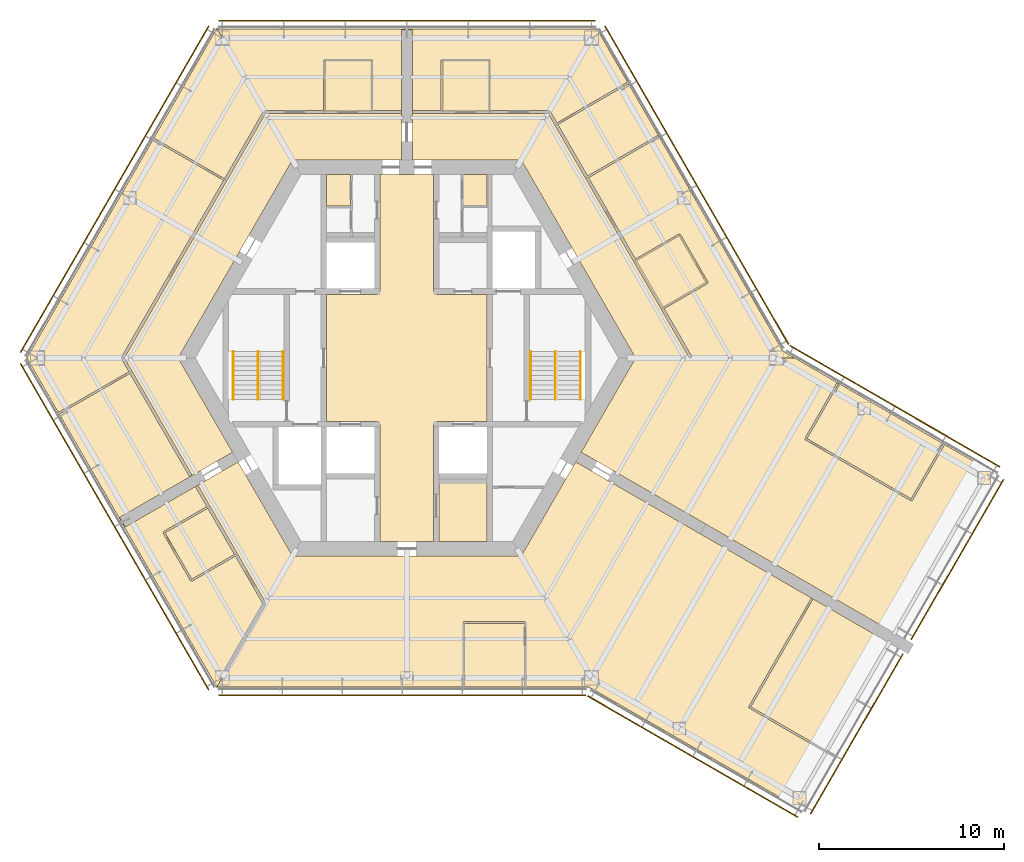
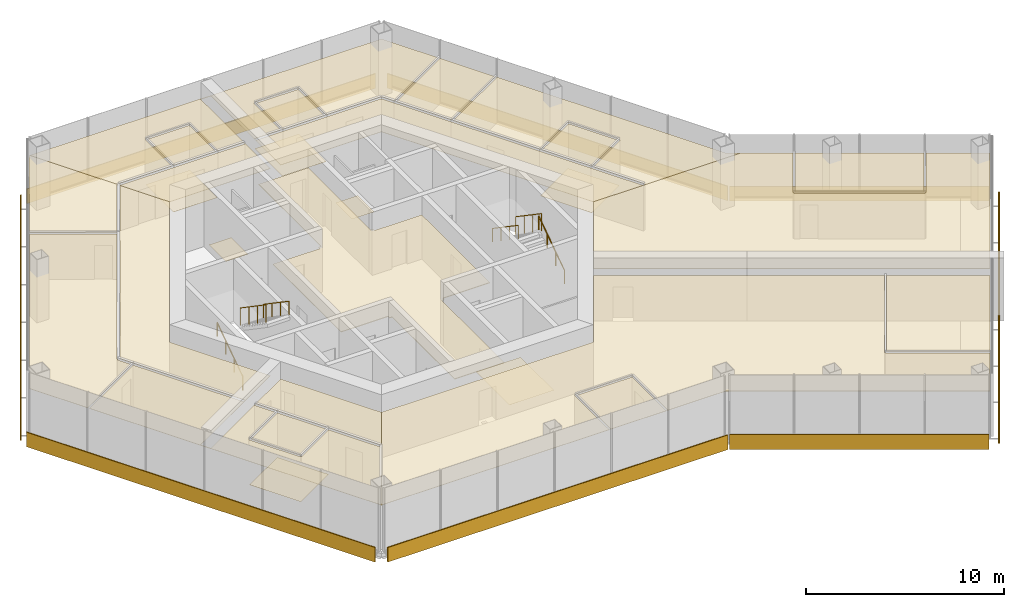
# One storey, part 15 of 15: 29 coverings, 9 shading devices, 6 railings.
"""IFC4 building model written with IfcOpenShell, lengths in metres."""

from ifc_helpers import new_model, si_unit, direction, frame, origin, origin_2d, place, context, subcontext, project, spatial, polyline, rectangle, circle, outline, extrude, material, layer, layer_set, type_object, element, save


model = new_model("IFC4")

# Units and contexts
model_context = context("Model", 3, precision=1e-05, world=origin(), true_north=direction((0.0, 1.0)))
body_context = subcontext(model_context, "Body", "Model", "MODEL_VIEW")
ifc_project = project(units=[si_unit("LENGTHUNIT", "METRE"), si_unit("AREAUNIT", "SQUARE_METRE"), si_unit("VOLUMEUNIT", "CUBIC_METRE"), si_unit("PLANEANGLEUNIT", "RADIAN"), si_unit("MASSUNIT", "GRAM", prefix="KILO")], contexts=[model_context])

# Site, building, storey
site_placement = place(None, origin())
site = spatial("IfcSite", under=ifc_project, at=site_placement, CompositionType="ELEMENT")
building_placement = place(site_placement, origin())
building = spatial("IfcBuilding", under=site, at=building_placement, Name="Kasaneha Research Tower", CompositionType="ELEMENT")
storey_placement = place(building_placement, frame((0.0, 0.0, 244.0)))
storey = spatial("IfcBuildingStorey", under=building, at=storey_placement, Name="L61", CompositionType="ELEMENT", Elevation=244.0)

# Covering
ifc_material_1 = material(Name="Aluminium panel ceiling", Category="aluminium")
ifc_layer_1 = layer(ifc_material_1, 0.0400390625)
ifc_layer_set_1 = layer_set([ifc_layer_1], Name="Lift lobby ceiling 40")
covering_type_1 = type_object("IfcCoveringType", Name="Lift lobby ceiling 40", PredefinedType="CEILING", material=ifc_layer_set_1)
covering_1_placement = place(storey_placement, frame((0.0, 0.0, 2.699951171875)))
element("IfcCovering", 1, at=covering_1_placement, inside=storey, type_object=covering_type_1, Name="Ceiling L61-01", PredefinedType="CEILING", context=body_context, shape_type="SweptSolid", body=[
    extrude(outline(polyline([(1.449951171875, 9.925048828125), (1.449951171875, 3.60009765625), (1.60009765625, 3.60009765625), (1.60009765625, 3.449951171875), (4.35009765625, 3.449951171875), (4.35009765625, -3.449951171875), (1.60009765625, -3.449951171875), (1.60009765625, -3.60009765625), (1.449951171875, -3.60009765625), (1.449951171875, -9.925048828125), (-1.449951171875, -9.925048828125), (-1.449951171875, -3.60009765625), (-1.60009765625, -3.60009765625), (-1.60009765625, -3.449951171875), (-4.35009765625, -3.449951171875), (-4.35009765625, 3.449951171875), (-1.60009765625, 3.449951171875), (-1.60009765625, 3.60009765625), (-1.449951171875, 3.60009765625), (-1.449951171875, 9.925048828125), (1.449951171875, 9.925048828125)])), origin(), (0.0, 0.0, 1.0), 0.0400390625),
])

# Railings
ifc_material_2 = material(Name="Steel", Category="steel")
railing_type_1 = type_object("IfcRailingType", Name="Stair balustrade 1100", PredefinedType="GUARDRAIL", material=ifc_material_2)
for number, where, name in (
    (2, (8.050048828125, 0.35009765625, 2.127197265625), "Stair 1 balustrade L61"),
    (3, (-8.050048828125, 0.35009765625, 2.127197265625), "Stair 2 balustrade L61"),
):
    element("IfcRailing", number, at=place(storey_placement, frame(where)), inside=storey, type_object=railing_type_1, Name=name, PredefinedType="GUARDRAIL", context=body_context, shape_type="SweptSolid", body=[
        extrude(circle(Radius=0.02392578125, at=origin_2d()), frame((0.0, 0.0, 1.076171875), z_axis=(0.0, -0.826240473404, 0.563317565952), x_axis=(1.0, 0.0, 0.0)), (0.0, 0.0, 1.0), 3.14697265625),
        extrude(circle(Radius=0.02099609375, at=origin_2d()), origin(), (0.0, 0.0, 1.0), 1.052001953125),
        extrude(circle(Radius=0.02099609375, at=origin_2d()), frame((0.0, -0.86669921875, 0.5908203125)), (0.0, 0.0, 1.0), 1.052001953125),
        extrude(circle(Radius=0.02099609375, at=origin_2d()), frame((0.0, -1.7333984375, 1.181884765625)), (0.0, 0.0, 1.0), 1.052001953125),
        extrude(circle(Radius=0.02099609375, at=origin_2d()), frame((0.0, -2.60009765625, 1.772705078125)), (0.0, 0.0, 1.0), 1.052001953125),
    ])
ifc_material_3 = material(Name="Steel", Category="steel")
railing_type_2 = type_object("IfcRailingType", Name="Stair handrail 850", PredefinedType="HANDRAIL", material=ifc_material_3)
railing_1_placement = place(storey_placement, frame((9.39990234375, -2.25, 0.17724609375)))
element("IfcRailing", 4, at=railing_1_placement, inside=storey, type_object=railing_type_2, Name="Stair 1 handrail L61", PredefinedType="HANDRAIL", context=body_context, shape_type="SweptSolid", body=[
    extrude(circle(Radius=0.02392578125, at=origin_2d()), frame((0.0, 0.0, 0.826171875), z_axis=(0.0, 0.826240473404, 0.563317565952), x_axis=(-1.0, 0.0, 0.0)), (0.0, 0.0, 1.0), 3.14697265625),
    extrude(circle(Radius=0.02099609375, at=origin_2d()), origin(), (0.0, 0.0, 1.0), 0.802001953125),
    extrude(circle(Radius=0.02099609375, at=origin_2d()), frame((0.0, 0.86669921875, 0.5908203125)), (0.0, 0.0, 1.0), 0.802001953125),
    extrude(circle(Radius=0.02099609375, at=origin_2d()), frame((0.0, 1.7333984375, 1.181884765625)), (0.0, 0.0, 1.0), 0.802001953125),
    extrude(circle(Radius=0.02099609375, at=origin_2d()), frame((0.0, 2.60009765625, 1.772705078125)), (0.0, 0.0, 1.0), 0.802001953125),
])
railing_2_placement = place(storey_placement, frame((6.699951171875, 0.35009765625, 2.127197265625)))
element("IfcRailing", 5, at=railing_2_placement, inside=storey, type_object=railing_type_2, Name="Stair 1 handrail L61", PredefinedType="HANDRAIL", context=body_context, shape_type="SweptSolid", body=[
    extrude(circle(Radius=0.02392578125, at=origin_2d()), frame((0.0, 0.0, 0.826171875), z_axis=(0.0, -0.826240473404, 0.563317565952), x_axis=(1.0, 0.0, 0.0)), (0.0, 0.0, 1.0), 3.14697265625),
    extrude(circle(Radius=0.02099609375, at=origin_2d()), origin(), (0.0, 0.0, 1.0), 0.802001953125),
    extrude(circle(Radius=0.02099609375, at=origin_2d()), frame((0.0, -0.86669921875, 0.5908203125)), (0.0, 0.0, 1.0), 0.802001953125),
    extrude(circle(Radius=0.02099609375, at=origin_2d()), frame((0.0, -1.7333984375, 1.181884765625)), (0.0, 0.0, 1.0), 0.802001953125),
    extrude(circle(Radius=0.02099609375, at=origin_2d()), frame((0.0, -2.60009765625, 1.772705078125)), (0.0, 0.0, 1.0), 0.802001953125),
])
railing_3_placement = place(storey_placement, frame((-9.39990234375, -2.25, 0.17724609375)))
element("IfcRailing", 6, at=railing_3_placement, inside=storey, type_object=railing_type_2, Name="Stair 2 handrail L61", PredefinedType="HANDRAIL", context=body_context, shape_type="SweptSolid", body=[
    extrude(circle(Radius=0.02392578125, at=origin_2d()), frame((0.0, 0.0, 0.826171875), z_axis=(0.0, 0.826240473404, 0.563317565952), x_axis=(-1.0, 0.0, 0.0)), (0.0, 0.0, 1.0), 3.14697265625),
    extrude(circle(Radius=0.02099609375, at=origin_2d()), origin(), (0.0, 0.0, 1.0), 0.802001953125),
    extrude(circle(Radius=0.02099609375, at=origin_2d()), frame((0.0, 0.86669921875, 0.5908203125)), (0.0, 0.0, 1.0), 0.802001953125),
    extrude(circle(Radius=0.02099609375, at=origin_2d()), frame((0.0, 1.7333984375, 1.181884765625)), (0.0, 0.0, 1.0), 0.802001953125),
    extrude(circle(Radius=0.02099609375, at=origin_2d()), frame((0.0, 2.60009765625, 1.772705078125)), (0.0, 0.0, 1.0), 0.802001953125),
])
railing_4_placement = place(storey_placement, frame((-6.699951171875, 0.35009765625, 2.127197265625)))
element("IfcRailing", 7, at=railing_4_placement, inside=storey, type_object=railing_type_2, Name="Stair 2 handrail L61", PredefinedType="HANDRAIL", context=body_context, shape_type="SweptSolid", body=[
    extrude(circle(Radius=0.02392578125, at=origin_2d()), frame((0.0, 0.0, 0.826171875), z_axis=(0.0, -0.826240473404, 0.563317565952), x_axis=(1.0, 0.0, 0.0)), (0.0, 0.0, 1.0), 3.14697265625),
    extrude(circle(Radius=0.02099609375, at=origin_2d()), origin(), (0.0, 0.0, 1.0), 0.802001953125),
    extrude(circle(Radius=0.02099609375, at=origin_2d()), frame((0.0, -0.86669921875, 0.5908203125)), (0.0, 0.0, 1.0), 0.802001953125),
    extrude(circle(Radius=0.02099609375, at=origin_2d()), frame((0.0, -1.7333984375, 1.181884765625)), (0.0, 0.0, 1.0), 0.802001953125),
    extrude(circle(Radius=0.02099609375, at=origin_2d()), frame((0.0, -2.60009765625, 1.772705078125)), (0.0, 0.0, 1.0), 0.802001953125),
])

# Coverings
ifc_material_4 = material(Name="Gypsum ceiling board", Category="gypsum")
ifc_layer_2 = layer(ifc_material_4, 0.02001953125)
ifc_layer_set_2 = layer_set([ifc_layer_2], Name="Suspended ceiling 20")
covering_type_2 = type_object("IfcCoveringType", Name="Suspended ceiling 20", PredefinedType="CEILING", material=ifc_layer_set_2)
covering_2_placement = place(storey_placement, frame((0.0, 0.0, 2.800048828125)))
element("IfcCovering", 8, at=covering_2_placement, inside=storey, type_object=covering_type_2, Name="Ceiling L61-27", PredefinedType="CEILING", context=body_context, shape_type="SweptSolid", body=[
    extrude(outline(polyline([(6.192138671875, 10.72509765625), (0.300048828125, 10.72509765625), (0.300048828125, 11.72509765625), (0.300048828125, 12.72509765625), (0.300048828125, 13.324951171875), (0.320068359375, 13.324951171875), (0.320068359375, 13.25), (1.89501953125, 13.25), (1.904541015625, 13.25), (4.46044921875, 13.25), (4.469970703125, 13.25), (7.64990234375, 13.25), (8.019287109375, 12.610107421875), (8.019287109375, 12.610107421875), (9.68505859375, 9.72509765625), (9.68505859375, 9.72509765625), (12.277099609375, 5.235595703125), (12.277099609375, 5.235595703125), (13.77734375, 2.636962890625), (13.77734375, 2.636962890625), (15.2998046875, 0.0), (12.38427734375, 0.0), (6.192138671875, 10.72509765625)])), origin(), (0.0, 0.0, 1.0), 0.02001953125),
])
covering_3_placement = place(storey_placement, frame((0.0, 0.0, 2.800048828125)))
element("IfcCovering", 9, at=covering_3_placement, inside=storey, type_object=covering_type_2, Name="Ceiling L61-28", PredefinedType="CEILING", context=body_context, shape_type="SweptSolid", body=[
    extrude(outline(polyline([(4.4150390625, 16.074951171875), (4.41064453125, 13.39990234375), (1.954345703125, 13.39990234375), (1.9501953125, 16.074951171875), (4.4150390625, 16.074951171875)])), origin(), (0.0, 0.0, 1.0), 0.02001953125),
])
covering_4_placement = place(storey_placement, frame((0.0, 0.0, 2.800048828125)))
element("IfcCovering", 10, at=covering_4_placement, inside=storey, type_object=covering_type_2, Name="Ceiling L61-29", PredefinedType="CEILING", context=body_context, shape_type="SweptSolid", body=[
    extrude(outline(polyline([(16.1962890625, 4.09716796875), (13.877685546875, 2.763427734375), (12.431884765625, 5.267333984375), (14.746337890625, 6.608642578125), (16.1962890625, 4.09716796875)])), origin(), (0.0, 0.0, 1.0), 0.02001953125),
])
covering_5_placement = place(storey_placement, frame((0.0, 0.0, 2.800048828125)))
element("IfcCovering", 11, at=covering_5_placement, inside=storey, type_object=covering_type_2, Name="Ceiling L61-30", PredefinedType="CEILING", context=body_context, shape_type="SweptSolid", body=[
    extrude(outline(polyline([(13.623291015625, 12.004638671875), (13.598388671875, 12.0478515625), (9.78515625, 9.851318359375), (8.17431640625, 12.641845703125), (12.000244140625, 14.85595703125), (13.640869140625, 12.0146484375), (13.623291015625, 12.004638671875)])), origin(), (0.0, 0.0, 1.0), 0.02001953125),
])
covering_6_placement = place(storey_placement, frame((0.0, 0.0, 2.800048828125)))
element("IfcCovering", 12, at=covering_6_placement, inside=storey, type_object=covering_type_2, Name="Ceiling L61-31", PredefinedType="CEILING", context=body_context, shape_type="SweptSolid", body=[
    extrude(outline(polyline([(15.375244140625, 0.020263671875), (15.439697265625, 0.0576171875), (13.927490234375, 2.6767578125), (16.28955078125, 4.035400390625), (16.2646484375, 4.078857421875), (16.30810546875, 4.103759765625), (14.80810546875, 6.701904296875), (14.764892578125, 6.677001953125), (14.764892578125, 6.67724609375), (14.7646484375, 6.67724609375), (14.73974609375, 6.72021484375), (12.3818359375, 5.35400390625), (9.835205078125, 9.764892578125), (13.6484375, 11.961181640625), (13.62353515625, 12.004150390625), (13.64111328125, 12.01416015625), (20.365966796875, 0.365966796875), (21.0, 0.0), (15.386962890625, 0.0), (15.375244140625, 0.020263671875)])), origin(), (0.0, 0.0, 1.0), 0.02001953125),
])
covering_7_placement = place(storey_placement, frame((0.0, 0.0, 2.800048828125)))
element("IfcCovering", 13, at=covering_7_placement, inside=storey, type_object=covering_type_2, Name="Ceiling L61-32", PredefinedType="CEILING", context=body_context, shape_type="SweptSolid", body=[
    extrude(outline(polyline([(10.28857421875, 17.820556640625), (11.9501953125, 14.9423828125), (8.124267578125, 12.728515625), (7.758056640625, 13.362548828125), (7.693359375, 13.3251953125), (7.693359375, 13.325439453125), (7.693115234375, 13.325439453125), (7.693115234375, 13.39990234375), (4.510498046875, 13.39990234375), (4.514892578125, 16.125), (4.46533203125, 16.125), (4.46533203125, 16.12548828125), (4.465087890625, 16.12548828125), (4.465087890625, 16.175048828125), (1.89990234375, 16.175048828125), (1.89990234375, 16.12548828125), (1.89990234375, 16.12548828125), (1.89990234375, 16.125), (1.85009765625, 16.125), (1.8544921875, 13.39990234375), (0.320068359375, 13.39990234375), (0.320068359375, 13.325439453125), (0.300048828125, 13.325439453125), (0.300048828125, 17.7705078125), (0.300048828125, 17.7705078125), (0.0, 17.7705078125), (0.0, 17.820556640625), (10.28857421875, 17.820556640625)])), origin(), (0.0, 0.0, 1.0), 0.02001953125),
])
covering_8_placement = place(storey_placement, frame((0.0, 0.0, 2.800048828125)))
element("IfcCovering", 14, at=covering_8_placement, inside=storey, type_object=covering_type_2, Name="Ceiling L61-33", PredefinedType="CEILING", context=body_context, shape_type="SweptSolid", body=[
    extrude(outline(polyline([(-0.300048828125, 11.72509765625), (-0.300048828125, 10.72509765625), (-6.192138671875, 10.72509765625), (-7.64990234375, 13.25), (-7.64990234375, 13.25), (-4.469970703125, 13.25), (-4.46044921875, 13.25), (-1.904541015625, 13.25), (-1.89501953125, 13.25), (-0.320068359375, 13.25), (-0.320068359375, 13.324951171875), (-0.300048828125, 13.324951171875), (-0.300048828125, 12.72509765625), (-0.300048828125, 11.72509765625)])), origin(), (0.0, 0.0, 1.0), 0.02001953125),
])
covering_9_placement = place(storey_placement, frame((0.0, 0.0, 2.800048828125)))
element("IfcCovering", 15, at=covering_9_placement, inside=storey, type_object=covering_type_2, Name="Ceiling L61-34", PredefinedType="CEILING", context=body_context, shape_type="SweptSolid", body=[
    extrude(outline(polyline([(-1.9501953125, 16.074951171875), (-1.954345703125, 13.39990234375), (-4.41064453125, 13.39990234375), (-4.4150390625, 16.074951171875), (-1.9501953125, 16.074951171875)])), origin(), (0.0, 0.0, 1.0), 0.02001953125),
])
covering_10_placement = place(storey_placement, frame((0.0, 0.0, 2.800048828125)))
element("IfcCovering", 16, at=covering_10_placement, inside=storey, type_object=covering_type_2, Name="Ceiling L61-35", PredefinedType="CEILING", context=body_context, shape_type="SweptSolid", body=[
    extrude(outline(polyline([(-0.320068359375, 13.325439453125), (-0.320068359375, 13.39990234375), (-1.8544921875, 13.39990234375), (-1.85009765625, 16.125), (-1.899658203125, 16.125), (-1.899658203125, 16.12548828125), (-1.89990234375, 16.12548828125), (-1.89990234375, 16.175048828125), (-4.465087890625, 16.175048828125), (-4.465087890625, 16.12548828125), (-4.465087890625, 16.125), (-4.514892578125, 16.125), (-4.510498046875, 13.39990234375), (-7.670166015625, 13.39990234375), (-7.670166015625, 13.325439453125), (-7.693359375, 13.325439453125), (-10.28857421875, 17.820556640625), (0.0, 17.820556640625), (0.0, 17.7705078125), (-0.300048828125, 17.7705078125), (-0.300048828125, 17.7705078125), (-0.300048828125, 13.325439453125), (-0.320068359375, 13.325439453125)])), origin(), (0.0, 0.0, 1.0), 0.02001953125),
])
covering_11_placement = place(storey_placement, frame((0.0, 0.0, 2.800048828125)))
element("IfcCovering", 17, at=covering_11_placement, inside=storey, type_object=covering_type_2, Name="Ceiling L61-36", PredefinedType="CEILING", context=body_context, shape_type="SweptSolid", body=[
    extrude(outline(polyline([(-12.38427734375, 0.0), (-9.438232421875, -5.102783203125), (-10.30419921875, -5.602783203125), (-10.30419921875, -5.602783203125), (-11.170166015625, -6.102783203125), (-11.170166015625, -6.102783203125), (-11.689697265625, -6.402587890625), (-11.69970703125, -6.385498046875), (-11.634765625, -6.347900390625), (-14.88818359375, -0.713134765625), (-14.887939453125, -0.713134765625), (-15.2998046875, 0.0), (-9.764892578125, 9.5869140625), (-9.764892578125, 9.5869140625), (-7.64990234375, 13.25), (-6.192138671875, 10.72509765625), (-12.38427734375, 0.0)])), origin(), (0.0, 0.0, 1.0), 0.02001953125),
])
covering_12_placement = place(storey_placement, frame((0.0, 0.0, 2.800048828125)))
element("IfcCovering", 18, at=covering_12_placement, inside=storey, type_object=covering_type_2, Name="Ceiling L61-37", PredefinedType="CEILING", context=body_context, shape_type="SweptSolid", body=[
    extrude(outline(polyline([(-15.539794921875, -8.62548828125), (-15.539794921875, -8.62548828125), (-15.3896484375, -8.88525390625), (-15.43310546875, -8.91015625), (-18.823486328125, -3.037841796875), (-14.992919921875, -0.831298828125), (-11.7646484375, -6.4228515625), (-11.69970703125, -6.385498046875), (-11.689697265625, -6.402587890625), (-11.429931640625, -6.252685546875), (-15.539794921875, -8.62548828125), (-15.539794921875, -8.62548828125)])), origin(), (0.0, 0.0, 1.0), 0.02001953125),
])
covering_13_placement = place(storey_placement, frame((0.0, 0.0, 2.800048828125)))
element("IfcCovering", 19, at=covering_13_placement, inside=storey, type_object=covering_type_2, Name="Ceiling L61-38", PredefinedType="CEILING", context=body_context, shape_type="SweptSolid", body=[
    extrude(outline(polyline([(-12.027587890625, 14.83251953125), (-10.299072265625, 17.826416015625), (-10.291748046875, 17.83203125), (-10.282470703125, 17.830810546875), (-7.681396484375, 13.32568359375), (-7.686279296875, 13.31396484375), (-7.693603515625, 13.3251953125), (-7.705078125, 13.30517578125), (-7.76953125, 13.342529296875), (-9.869873046875, 9.705078125), (-13.7001953125, 11.911376953125), (-12.023193359375, 14.816162109375), (-12.02880859375, 14.822998046875), (-12.027587890625, 14.83251953125)])), origin(), (0.0, 0.0, 1.0), 0.02001953125),
])
covering_14_placement = place(storey_placement, frame((0.0, 0.0, 2.800048828125)))
element("IfcCovering", 20, at=covering_14_placement, inside=storey, type_object=covering_type_2, Name="Ceiling L61-39", PredefinedType="CEILING", context=body_context, shape_type="SweptSolid", body=[
    extrude(outline(polyline([(-15.38671875, 0.000244140625), (-15.38671875, -0.000244140625), (-15.451416015625, -0.03759765625), (-15.04296875, -0.74462890625), (-18.87353515625, -2.951171875), (-20.577392578125, 0.0), (-13.750244140625, 11.82470703125), (-9.919677734375, 9.618408203125), (-15.451416015625, 0.03759765625), (-15.38671875, 0.000244140625), (-15.38671875, 0.000244140625)])), origin(), (0.0, 0.0, 1.0), 0.02001953125),
])
covering_15_placement = place(storey_placement, frame((0.0, 0.0, 2.800048828125)))
element("IfcCovering", 21, at=covering_15_placement, inside=storey, type_object=covering_type_2, Name="Ceiling L61-40", PredefinedType="CEILING", context=body_context, shape_type="SweptSolid", body=[
    extrude(outline(polyline([(-10.8701171875, -6.622314453125), (-10.004150390625, -6.122314453125), (-10.004150390625, -6.122314453125), (-9.13818359375, -5.622314453125), (-6.192138671875, -10.72509765625), (-7.64990234375, -13.25), (-9.177001953125, -10.604736328125), (-9.177001953125, -10.604736328125), (-10.67724609375, -8.00634765625), (-10.677490234375, -8.00634765625), (-11.31494140625, -6.902099609375), (-11.3798828125, -6.939697265625), (-11.389892578125, -6.92236328125), (-10.8701171875, -6.622314453125), (-10.8701171875, -6.622314453125)])), origin(), (0.0, 0.0, 1.0), 0.02001953125),
])
covering_16_placement = place(storey_placement, frame((0.0, 0.0, 2.800048828125)))
element("IfcCovering", 22, at=covering_16_placement, inside=storey, type_object=covering_type_2, Name="Ceiling L61-41", PredefinedType="CEILING", context=body_context, shape_type="SweptSolid", body=[
    extrude(outline(polyline([(-13.096435546875, -9.466552734375), (-10.777587890625, -8.132568359375), (-9.33203125, -10.63671875), (-11.646484375, -11.977783203125), (-13.096435546875, -9.466552734375)])), origin(), (0.0, 0.0, 1.0), 0.02001953125),
])
covering_17_placement = place(storey_placement, frame((0.0, 0.0, 2.800048828125)))
element("IfcCovering", 23, at=covering_17_placement, inside=storey, type_object=covering_type_2, Name="Ceiling L61-42", PredefinedType="CEILING", context=body_context, shape_type="SweptSolid", body=[
    extrude(outline(polyline([(-11.380126953125, -6.93994140625), (-11.44482421875, -6.97705078125), (-10.82763671875, -8.046142578125), (-13.189697265625, -9.40478515625), (-13.164794921875, -9.447998046875), (-13.1650390625, -9.447998046875), (-13.1650390625, -9.4482421875), (-13.2080078125, -9.47314453125), (-11.7080078125, -12.0712890625), (-11.6650390625, -12.04638671875), (-11.6650390625, -12.04638671875), (-11.664794921875, -12.046142578125), (-11.6396484375, -12.08935546875), (-9.281982421875, -10.72314453125), (-7.76953125, -13.342529296875), (-7.705078125, -13.30517578125), (-7.693359375, -13.325439453125), (-10.28857421875, -17.820556640625), (-15.43310546875, -8.91015625), (-15.3896484375, -8.88525390625), (-15.23974609375, -9.14501953125), (-15.23974609375, -9.14501953125), (-15.23974609375, -9.14501953125), (-11.39013671875, -6.922607421875), (-11.380126953125, -6.93994140625)])), origin(), (0.0, 0.0, 1.0), 0.02001953125),
])
covering_18_placement = place(storey_placement, frame((0.0, 0.0, 2.800048828125)))
element("IfcCovering", 24, at=covering_18_placement, inside=storey, type_object=covering_type_2, Name="Ceiling L61-43", PredefinedType="CEILING", context=body_context, shape_type="SweptSolid", body=[
    extrude(outline(polyline([(29.03173828125, -4.63720703125), (27.306640625, -7.625), (21.660400390625, -4.364990234375), (23.37548828125, -1.39453125), (23.332275390625, -1.36962890625), (23.34228515625, -1.352294921875), (29.03173828125, -4.63720703125)])), origin(), (0.0, 0.0, 1.0), 0.02001953125),
])
covering_19_placement = place(storey_placement, frame((0.0, 0.0, 2.800048828125)))
element("IfcCovering", 25, at=covering_19_placement, inside=storey, type_object=covering_type_2, Name="Ceiling L61-44", PredefinedType="CEILING", context=body_context, shape_type="SweptSolid", body=[
    extrude(outline(polyline([(10.30419921875, -5.602783203125), (10.30419921875, -5.602783203125), (9.438232421875, -5.102783203125), (12.38427734375, 0.0), (15.2998046875, 0.0), (15.309814453125, -0.017578125), (15.340087890625, 0.0), (21.0, 0.0), (23.341796875, -1.35205078125), (23.331787109375, -1.369384765625), (23.288818359375, -1.344482421875), (21.548828125, -4.3583984375), (21.592041015625, -4.38330078125), (21.591796875, -4.3837890625), (21.592041015625, -4.3837890625), (21.567138671875, -4.4267578125), (27.300048828125, -7.736572265625), (27.324951171875, -7.693115234375), (27.368408203125, -7.71826171875), (29.1181640625, -4.68701171875), (31.94140625, -6.31689453125), (26.84130859375, -15.150390625), (11.170166015625, -6.102783203125), (11.170166015625, -6.102783203125), (10.30419921875, -5.602783203125)])), origin(), (0.0, 0.0, 1.0), 0.02001953125),
])
covering_20_placement = place(storey_placement, frame((0.0, 0.0, 2.800048828125)))
element("IfcCovering", 26, at=covering_20_placement, inside=storey, type_object=covering_type_2, Name="Ceiling L61-45", PredefinedType="CEILING", context=body_context, shape_type="SweptSolid", body=[
    extrude(outline(polyline([(23.141357421875, -21.55908203125), (23.1240234375, -21.549072265625), (23.14892578125, -21.505615234375), (18.61962890625, -18.890625), (21.984619140625, -13.0625), (21.94140625, -13.037353515625), (21.951416015625, -13.02001953125), (24.728271484375, -14.623291015625), (26.541259765625, -15.670166015625), (23.141357421875, -21.55908203125)])), origin(), (0.0, 0.0, 1.0), 0.02001953125),
])
covering_21_placement = place(storey_placement, frame((0.0, 0.0, 2.800048828125)))
element("IfcCovering", 27, at=covering_21_placement, inside=storey, type_object=covering_type_2, Name="Ceiling L61-46", PredefinedType="CEILING", context=body_context, shape_type="SweptSolid", body=[
    extrude(outline(polyline([(3.077392578125, -17.820556640625), (3.077392578125, -17.800537109375), (3.12744140625, -17.800537109375), (3.12744140625, -14.37060546875), (6.3583984375, -14.37060546875), (6.3583984375, -17.800537109375), (6.408203125, -17.800537109375), (6.408203125, -17.820556640625), (3.077392578125, -17.820556640625)])), origin(), (0.0, 0.0, 1.0), 0.02001953125),
])
covering_22_placement = place(storey_placement, frame((0.0, 0.0, 2.800048828125)))
element("IfcCovering", 28, at=covering_22_placement, inside=storey, type_object=covering_type_2, Name="Ceiling L61-47", PredefinedType="CEILING", context=body_context, shape_type="SweptSolid", body=[
    extrude(outline(polyline([(6.192138671875, -10.72509765625), (9.13818359375, -5.622314453125), (10.004150390625, -6.122314453125), (10.004150390625, -6.122314453125), (10.8701171875, -6.622314453125), (10.8701171875, -6.622314453125), (16.652587890625, -9.960693359375), (21.950927734375, -13.019775390625), (21.94091796875, -13.037109375), (21.898193359375, -13.012451171875), (18.508056640625, -18.884033203125), (18.551025390625, -18.908935546875), (18.551025390625, -18.9091796875), (18.55126953125, -18.9091796875), (18.5263671875, -18.952392578125), (23.09912109375, -21.59228515625), (23.123779296875, -21.549560546875), (23.14111328125, -21.5595703125), (21.44140625, -24.50341796875), (9.865966796875, -17.820556640625), (6.40869140625, -17.820556640625), (6.40869140625, -17.800537109375), (6.458251953125, -17.800537109375), (6.458251953125, -14.320556640625), (6.408447265625, -14.320556640625), (6.408447265625, -14.320068359375), (6.408203125, -14.320068359375), (6.408203125, -14.2705078125), (3.077392578125, -14.2705078125), (3.077392578125, -14.320068359375), (3.076904296875, -14.320068359375), (3.076904296875, -14.320556640625), (3.02734375, -14.320556640625), (3.02734375, -17.800537109375), (3.076904296875, -17.800537109375), (3.076904296875, -17.820556640625), (-10.28857421875, -17.820556640625), (-7.670166015625, -13.284912109375), (-7.6396484375, -13.267578125), (-7.64990234375, -13.25), (-6.192138671875, -10.72509765625), (6.192138671875, -10.72509765625)])), origin(), (0.0, 0.0, 1.0), 0.02001953125),
])

# Shading devices
ifc_material_5 = material(Name="Terracotta", Category="masonry")
ifc_layer_3 = layer(ifc_material_5, 0.06005859375)
ifc_layer_set_3 = layer_set([ifc_layer_3], Name="Terracotta baguette screen")
shading_device_type = type_object("IfcShadingDeviceType", Name="Terracotta baguette screen", PredefinedType="USERDEFINED", material=ifc_layer_set_3)
shading_device_1_placement = place(storey_placement, frame((15.696044921875, 9.35498046875, -0.449951171875), z_axis=(0.0, 0.0, 1.0), x_axis=(-0.499999979232, 0.866025415775, 0.0)))
element("IfcShadingDevice", 29, at=shading_device_1_placement, inside=storey, type_object=shading_device_type, Name="Baguette screen L61 01", ObjectType="TERRACOTTA BAGUETTE SCREEN", PredefinedType="USERDEFINED", context=body_context, shape_type="SweptSolid", body=[
    extrude(rectangle(XDim=19.8857421875, YDim=0.06005859375, at=origin_2d()), origin(), (0.0, 0.0, 1.0), 0.89990234375),
])
for number, where, z_axis, x_axis, name in (
    (30, (0.0, 18.2705078125, -0.449951171875), (0.0, 0.0, 1.0), (-1.0, 0.0, 0.0), "Baguette screen L61 02"),
    (31, (-15.82275390625, 9.13525390625, -0.449951171875), (0.0, 0.0, 1.0), (-0.499999995722, -0.866025406254, 0.0), "Baguette screen L61 03"),
    (32, (-15.82275390625, -9.13525390625, -0.449951171875), (0.0, 0.0, 1.0), (0.499999995722, -0.866025406254, 0.0), "Baguette screen L61 04"),
):
    element("IfcShadingDevice", number, at=place(storey_placement, frame(where, z_axis=z_axis, x_axis=x_axis)), inside=storey, type_object=shading_device_type, Name=name, ObjectType="TERRACOTTA BAGUETTE SCREEN", PredefinedType="USERDEFINED", context=body_context, shape_type="SweptSolid", body=[
        extrude(rectangle(XDim=20.392822265625, YDim=0.06005859375, at=origin_2d()), origin(), (0.0, 0.0, 1.0), 0.89990234375),
    ])
shading_device_2_placement = place(storey_placement, frame((-0.253662109375, -18.2705078125, -0.449951171875), z_axis=(0.0, 0.0, 1.0), x_axis=(1.0, 0.0, 0.0)))
element("IfcShadingDevice", 33, at=shading_device_2_placement, inside=storey, type_object=shading_device_type, Name="Baguette screen L61 05", ObjectType="TERRACOTTA BAGUETTE SCREEN", PredefinedType="USERDEFINED", context=body_context, shape_type="SweptSolid", body=[
    extrude(rectangle(XDim=19.8857421875, YDim=0.06005859375, at=origin_2d()), origin(), (0.0, 0.0, 1.0), 0.89990234375),
])
shading_device_3_placement = place(storey_placement, frame((15.483642578125, -21.58349609375, -0.449951171875), z_axis=(0.0, 0.0, 1.0), x_axis=(0.866025411464, -0.499999986699, 0.0)))
element("IfcShadingDevice", 34, at=shading_device_3_placement, inside=storey, type_object=shading_device_type, Name="Baguette screen L61 06", ObjectType="TERRACOTTA BAGUETTE SCREEN", PredefinedType="USERDEFINED", context=body_context, shape_type="SweptSolid", body=[
    extrude(rectangle(XDim=13.13916015625, YDim=0.06005859375, at=origin_2d()), origin(), (0.0, 0.0, 1.0), 0.89990234375),
])
for number, where, z_axis, x_axis, name in (
    (35, (24.35595703125, -20.35498046875, -0.449951171875), (0.0, 0.0, 1.0), (0.500000011442, 0.866025397178, 0.0), "Baguette screen L61 07"),
    (36, (29.80615234375, -10.91552734375, -0.449951171875), (0.0, 0.0, 1.0), (0.500000011442, 0.866025397178, 0.0), "Baguette screen L61 08"),
):
    element("IfcShadingDevice", number, at=place(storey_placement, frame(where, z_axis=z_axis, x_axis=x_axis)), inside=storey, type_object=shading_device_type, Name=name, ObjectType="TERRACOTTA BAGUETTE SCREEN", PredefinedType="USERDEFINED", context=body_context, shape_type="SweptSolid", body=[
        extrude(rectangle(XDim=10.0, YDim=0.06005859375, at=origin_2d()), origin(), (0.0, 0.0, 1.0), 0.89990234375),
    ])
shading_device_4_placement = place(storey_placement, frame((26.43359375, -2.617431640625, -0.449951171875), z_axis=(0.0, 0.0, 1.0), x_axis=(-0.866025411464, 0.499999986699, 0.0)))
element("IfcShadingDevice", 37, at=shading_device_4_placement, inside=storey, type_object=shading_device_type, Name="Baguette screen L61 09", ObjectType="TERRACOTTA BAGUETTE SCREEN", PredefinedType="USERDEFINED", context=body_context, shape_type="SweptSolid", body=[
    extrude(rectangle(XDim=13.13916015625, YDim=0.06005859375, at=origin_2d()), origin(), (0.0, 0.0, 1.0), 0.89990234375),
])

# Coverings
ifc_material_6 = material(Name="Vinyl sheet flooring", Category="plastic")
ifc_layer_4 = layer(ifc_material_6, 0.0048828125)
ifc_layer_set_4 = layer_set([ifc_layer_4], Name="Wet room sheet flooring 5")
covering_type_3 = type_object("IfcCoveringType", Name="Wet room sheet flooring 5", PredefinedType="FLOORING", material=ifc_layer_set_4)
covering_23_placement = place(storey_placement, origin())
element("IfcCovering", 38, at=covering_23_placement, inside=storey, type_object=covering_type_3, Name="Floor finish L61-07", PredefinedType="FLOORING", context=body_context, shape_type="SweptSolid", body=[
    extrude(outline(polyline([(-4.35009765625, 8.22509765625), (-4.35009765625, 9.925048828125), (-3.050048828125, 9.925048828125), (-3.050048828125, 8.22509765625), (-4.35009765625, 8.22509765625)])), origin(), (0.0, 0.0, 1.0), 0.0048828125),
])
covering_24_placement = place(storey_placement, origin())
element("IfcCovering", 39, at=covering_24_placement, inside=storey, type_object=covering_type_3, Name="Floor finish L61-10", PredefinedType="FLOORING", context=body_context, shape_type="SweptSolid", body=[
    extrude(outline(polyline([(4.35009765625, 8.265380859375), (3.050048828125, 8.265380859375), (3.050048828125, 9.925048828125), (4.35009765625, 9.925048828125), (4.35009765625, 8.265380859375)])), origin(), (0.0, 0.0, 1.0), 0.0048828125),
])
covering_25_placement = place(storey_placement, origin())
element("IfcCovering", 40, at=covering_25_placement, inside=storey, type_object=covering_type_3, Name="Floor finish L61-13", PredefinedType="FLOORING", context=body_context, shape_type="SweptSolid", body=[
    extrude(outline(polyline([(1.75, -9.925048828125), (1.75, -6.550048828125), (4.35009765625, -6.550048828125), (4.35009765625, -9.925048828125), (1.75, -9.925048828125)])), origin(), (0.0, 0.0, 1.0), 0.0048828125),
])
covering_26_placement = place(storey_placement, origin())
element("IfcCovering", 41, at=covering_26_placement, inside=storey, type_object=covering_type_3, Name="Floor finish L61-28", PredefinedType="FLOORING", context=body_context, shape_type="SweptSolid", body=[
    extrude(outline(polyline([(1.89990234375, 16.125), (4.465087890625, 16.125), (4.465087890625, 13.324951171875), (1.89990234375, 13.324951171875), (1.89990234375, 16.125)])), origin(), (0.0, 0.0, 1.0), 0.0048828125),
])
covering_27_placement = place(storey_placement, origin())
element("IfcCovering", 42, at=covering_27_placement, inside=storey, type_object=covering_type_3, Name="Floor finish L61-29", PredefinedType="FLOORING", context=body_context, shape_type="SweptSolid", body=[
    extrude(outline(polyline([(14.7646484375, 6.6767578125), (16.2646484375, 4.078857421875), (13.83984375, 2.6787109375), (12.33984375, 5.27685546875), (14.7646484375, 6.6767578125)])), origin(), (0.0, 0.0, 1.0), 0.0048828125),
])
covering_28_placement = place(storey_placement, origin())
element("IfcCovering", 43, at=covering_28_placement, inside=storey, type_object=covering_type_3, Name="Floor finish L61-34", PredefinedType="FLOORING", context=body_context, shape_type="SweptSolid", body=[
    extrude(outline(polyline([(-4.465087890625, 16.125), (-1.89990234375, 16.125), (-1.89990234375, 13.324951171875), (-4.465087890625, 13.324951171875), (-4.465087890625, 16.125)])), origin(), (0.0, 0.0, 1.0), 0.0048828125),
])
covering_29_placement = place(storey_placement, origin())
element("IfcCovering", 44, at=covering_29_placement, inside=storey, type_object=covering_type_3, Name="Floor finish L61-41", PredefinedType="FLOORING", context=body_context, shape_type="SweptSolid", body=[
    extrude(outline(polyline([(-11.66455078125, -12.046142578125), (-13.16455078125, -9.4482421875), (-10.73974609375, -8.048095703125), (-9.23974609375, -10.646240234375), (-11.66455078125, -12.046142578125)])), origin(), (0.0, 0.0, 1.0), 0.0048828125),
])

save(model, "model.ifc")
